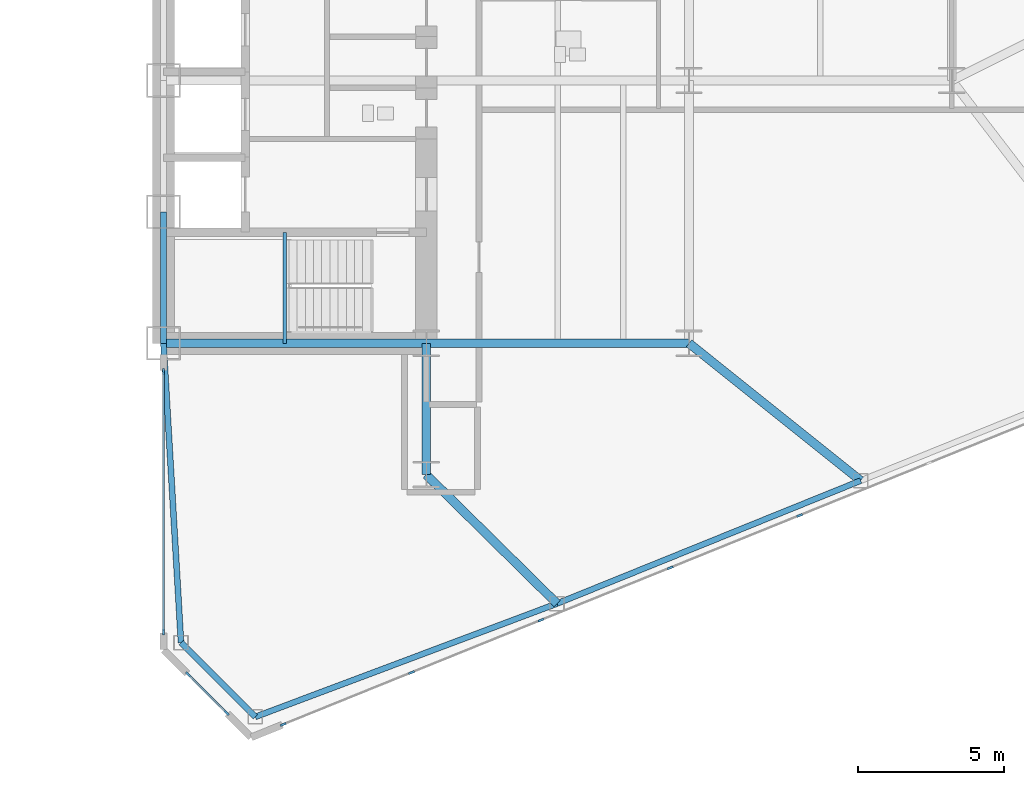
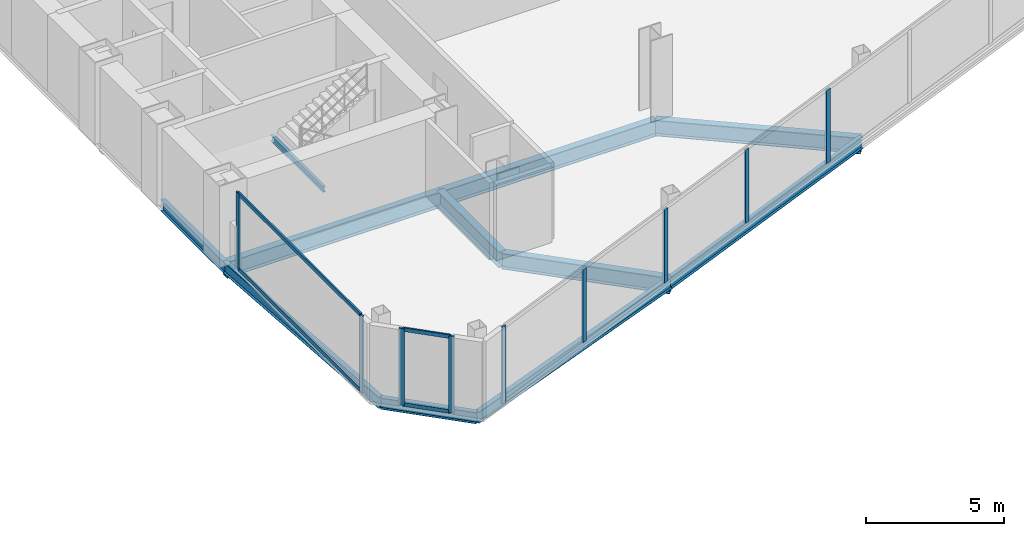
# One storey, part 9 of 25: 13 members, 11 beams, 3 elements without a shape of their own.
"""IFC4 building model written with IfcOpenShell, lengths in metres."""

from ifc_helpers import new_model, si_unit, direction, frame, origin, origin_2d, place, context, subcontext, project, spatial, rectangle, i_section, extrude, source, transform, mapped, material, layer, layer_set, material_profile, profile_set, type_object, type_shapes, element, aggregate, save


model = new_model("IFC4")

# Units and contexts
model_context = context("Model", 3, precision=1e-05, world=origin(), true_north=direction((0.0, 1.0)))
body_context = subcontext(model_context, "Body", "Model", "MODEL_VIEW")
ifc_project = project(units=[si_unit("LENGTHUNIT", "METRE"), si_unit("AREAUNIT", "SQUARE_METRE"), si_unit("VOLUMEUNIT", "CUBIC_METRE"), si_unit("PLANEANGLEUNIT", "RADIAN"), si_unit("MASSUNIT", "GRAM", prefix="KILO")], contexts=[model_context])

# Site, building, storey
site_placement = place(None, origin())
site = spatial("IfcSite", under=ifc_project, at=site_placement, CompositionType="ELEMENT")
building_placement = place(site_placement, origin())
building = spatial("IfcBuilding", under=site, at=building_placement, Name="Seokmaru Belvedere", CompositionType="ELEMENT")
storey_placement = place(building_placement, frame((0.0, 0.0, 58.5)))
storey = spatial("IfcBuildingStorey", under=building, at=storey_placement, Name="L15", CompositionType="ELEMENT", Elevation=58.5)

# Beams
ifc_material_1 = material(Name="Steel SM355 (355 MPa)", Category="steel")
ifc_material_profile_1 = material_profile(ifc_material_1, i_section(OverallWidth=0.199951171875, OverallDepth=0.5, WebThickness=0.010009765625, FlangeThickness=0.01611328125, at=origin_2d()), Name="H-500x200x10x16")
ifc_profile_set_1 = profile_set([ifc_material_profile_1], Name="Steel SM355 (355 MPa)")
beam_type_1 = type_object("IfcBeamType", Name="Perimeter Spandrel Beam H-500", PredefinedType="SPANDREL", material=ifc_profile_set_1)
shared_shape_1 = source(origin(), body_context, "Body", "SweptSolid", [
    extrude(i_section(OverallWidth=0.199951171875, OverallDepth=0.5, WebThickness=0.010009765625, FlangeThickness=0.01611328125, at=origin_2d()), origin(), (0.0, 0.0, 1.0), 4.5),
])
beam_1_placement = place(storey_placement, frame((27.5, -13.5, -0.469970703125), z_axis=(0.0, 1.0, 0.0), x_axis=(-1.0, 0.0, 0.0)))
element("IfcBeam", 1, at=beam_1_placement, inside=storey, type_object=beam_type_1, Name="L15 E Portal Spine Spandrel 1", PredefinedType="SPANDREL", context=body_context, shape_type="MappedRepresentation", body=[
    mapped(shared_shape_1, transform((0.0, 0.0, 0.0), scale=1.0)),
])
ifc_material_profile_2 = material_profile(ifc_material_1, i_section(OverallWidth=0.300048828125, OverallDepth=0.699951171875, WebThickness=0.012939453125, FlangeThickness=0.02392578125, at=origin_2d()), Name="H-700x300x13x24")
ifc_profile_set_2 = profile_set([ifc_material_profile_2], Name="Steel SM355 (355 MPa)")
beam_type_2 = type_object("IfcBeamType", Name="Primary Floor Girder H-700", PredefinedType="BEAM", material=ifc_profile_set_2)
shared_shape_2 = source(origin(), body_context, "Body", "SweptSolid", [
    extrude(i_section(OverallWidth=0.300048828125, OverallDepth=0.699951171875, WebThickness=0.012939453125, FlangeThickness=0.02392578125, at=origin_2d()), origin(), (0.0, 0.0, 1.0), 4.5),
])
beam_2_placement = place(storey_placement, frame((36.5, -18.0, -0.570068359375), z_axis=(0.0, 1.0, 0.0), x_axis=(-1.0, 0.0, 0.0)))
element("IfcBeam", 2, at=beam_2_placement, inside=storey, type_object=beam_type_2, Name="L15 E Core Shoulder Girder S", PredefinedType="BEAM", context=body_context, shape_type="MappedRepresentation", body=[
    mapped(shared_shape_2, transform((0.0, 0.0, 0.0), scale=1.0)),
])
shared_shape_3 = source(origin(), body_context, "Body", "SweptSolid", [
    extrude(i_section(OverallWidth=0.300048828125, OverallDepth=0.699951171875, WebThickness=0.012939453125, FlangeThickness=0.02392578125, at=origin_2d()), origin(), (0.0, 0.0, 1.0), 9.0),
])
for number, where, z_axis, x_axis, name in (
    (3, (27.5, -13.5, -0.570068359375), (1.0, 0.0, 0.0), (0.0, 1.0, 0.0), "L15 E Core Tie Girder 1"),
    (4, (36.5, -13.5, -0.570068359375), (1.0, 0.0, 0.0), (0.0, 1.0, 0.0), "L15 E Wing Primary Girder 1"),
):
    element("IfcBeam", number, at=place(storey_placement, frame(where, z_axis=z_axis, x_axis=x_axis)), inside=storey, type_object=beam_type_2, Name=name, PredefinedType="BEAM", context=body_context, shape_type="MappedRepresentation", body=[
        mapped(shared_shape_3, transform((0.0, 0.0, 0.0), scale=1.0)),
    ])
shared_shape_4 = source(origin(), body_context, "Body", "SweptSolid", [
    extrude(i_section(OverallWidth=0.199951171875, OverallDepth=0.5, WebThickness=0.010009765625, FlangeThickness=0.01611328125, at=origin_2d()), origin(), (0.0, 0.0, 1.0), 11.03857421875),
])
beam_3_placement = place(storey_placement, frame((30.643310546875, -26.294677734375, -0.469970703125), z_axis=(0.936169110734, 0.351549990907, 0.0), x_axis=(-0.351549990907, 0.936169110734, 0.0)))
element("IfcBeam", 5, at=beam_3_placement, inside=storey, type_object=beam_type_1, Name="L15 E Faceted Flank Spandrel S-1", PredefinedType="SPANDREL", context=body_context, shape_type="MappedRepresentation", body=[
    mapped(shared_shape_4, transform((0.0, 0.0, 0.0), scale=1.0)),
])
shared_shape_5 = source(origin(), body_context, "Body", "SweptSolid", [
    extrude(i_section(OverallWidth=0.199951171875, OverallDepth=0.5, WebThickness=0.010009765625, FlangeThickness=0.01611328125, at=origin_2d()), origin(), (0.0, 0.0, 1.0), 11.220703125),
])
beam_4_placement = place(storey_placement, frame((40.977294921875, -22.4140625, -0.469970703125), z_axis=(0.926944290816, 0.375198989503, 0.0), x_axis=(-0.375198989503, 0.926944290816, 0.0)))
element("IfcBeam", 6, at=beam_4_placement, inside=storey, type_object=beam_type_1, Name="L15 E Faceted Flank Spandrel S-2", PredefinedType="SPANDREL", context=body_context, shape_type="MappedRepresentation", body=[
    mapped(shared_shape_5, transform((0.0, 0.0, 0.0), scale=1.0)),
])
shared_shape_6 = source(origin(), body_context, "Body", "SweptSolid", [
    extrude(i_section(OverallWidth=0.199951171875, OverallDepth=0.5, WebThickness=0.010009765625, FlangeThickness=0.01611328125, at=origin_2d()), origin(), (0.0, 0.0, 1.0), 3.5966796875),
])
beam_5_placement = place(storey_placement, frame((30.643310546875, -26.294677734375, -0.469970703125), z_axis=(-0.707106781187, 0.707106781187, 0.0), x_axis=(-0.707106781187, -0.707106781187, 0.0)))
element("IfcBeam", 7, at=beam_5_placement, inside=storey, type_object=beam_type_1, Name="L15 E Shoulder Chamfer Spandrel S", PredefinedType="SPANDREL", context=body_context, shape_type="MappedRepresentation", body=[
    mapped(shared_shape_6, transform((0.0, 0.0, 0.0), scale=1.0)),
])
shared_shape_7 = source(origin(), body_context, "Body", "SweptSolid", [
    extrude(i_section(OverallWidth=0.199951171875, OverallDepth=0.5, WebThickness=0.010009765625, FlangeThickness=0.01611328125, at=origin_2d()), origin(), (0.0, 0.0, 1.0), 10.26904296875),
])
type_shapes(beam_type_1, [shared_shape_1, shared_shape_4, shared_shape_5, shared_shape_6, shared_shape_7])
beam_6_placement = place(storey_placement, frame((28.10009765625, -23.75146484375, -0.469970703125), z_axis=(-0.058437709399, 0.998291056817, 0.0), x_axis=(-0.998291056817, -0.058437709399, 0.0)))
element("IfcBeam", 8, at=beam_6_placement, inside=storey, type_object=beam_type_1, Name="L15 E Shoulder Spine Spandrel S", PredefinedType="SPANDREL", context=body_context, shape_type="MappedRepresentation", body=[
    mapped(shared_shape_7, transform((0.0, 0.0, 0.0), scale=1.0)),
])
shared_shape_8 = source(origin(), body_context, "Body", "SweptSolid", [
    extrude(i_section(OverallWidth=0.300048828125, OverallDepth=0.699951171875, WebThickness=0.012939453125, FlangeThickness=0.02392578125, at=origin_2d()), origin(), (0.0, 0.0, 1.0), 6.287353515625),
])
beam_7_placement = place(storey_placement, frame((40.977294921875, -22.4140625, -0.570068359375), z_axis=(-0.712117485263, 0.702060315915, 0.0), x_axis=(-0.702060315915, -0.712117485263, 0.0)))
element("IfcBeam", 9, at=beam_7_placement, inside=storey, type_object=beam_type_2, Name="L15 E Flank Radial Floor Girder S-1", PredefinedType="BEAM", context=body_context, shape_type="MappedRepresentation", body=[
    mapped(shared_shape_8, transform((0.0, 0.0, 0.0), scale=1.0)),
])
shared_shape_9 = source(origin(), body_context, "Body", "SweptSolid", [
    extrude(i_section(OverallWidth=0.300048828125, OverallDepth=0.699951171875, WebThickness=0.012939453125, FlangeThickness=0.02392578125, at=origin_2d()), origin(), (0.0, 0.0, 1.0), 7.52880859375),
])
type_shapes(beam_type_2, [shared_shape_2, shared_shape_3, shared_shape_8, shared_shape_9])
beam_8_placement = place(storey_placement, frame((51.378173828125, -18.2041015625, -0.570068359375), z_axis=(-0.780767560736, 0.624821587418, 0.0), x_axis=(-0.624821587418, -0.780767560736, 0.0)))
element("IfcBeam", 10, at=beam_8_placement, inside=storey, type_object=beam_type_2, Name="L15 E Flank Radial Floor Girder S-2", PredefinedType="BEAM", context=body_context, shape_type="MappedRepresentation", body=[
    mapped(shared_shape_9, transform((0.0, 0.0, 0.0), scale=1.0)),
])

# Curtain wall, members
ifc_material_2 = material(Name="Bronze Triple Insulating Glass", Category="glass")
ifc_layer = layer(ifc_material_2, 0.2099609375)
ifc_layer_set = layer_set([ifc_layer], Name="Bronze Triple Insulating Glass")
curtain_wall_type = type_object("IfcCurtainWallType", Name="Low-Rise Faceted Crystal Curtain Wall System CW-2", PredefinedType="NOTDEFINED", material=ifc_layer_set)
curtain_wall_1_placement = place(storey_placement, origin())
curtain_wall_1 = element("IfcCurtainWall", 11, at=curtain_wall_1_placement, inside=storey, type_object=curtain_wall_type, Name="L15 Curtain Wall ESP_1", PredefinedType="NOTDEFINED")
ifc_material_3 = material(Name="Anodised Bronze Aluminium", Category="aluminium")
ifc_material_profile_3 = material_profile(ifc_material_3, rectangle(XDim=0.070068359375, YDim=0.1650390625, at=origin_2d()), Name="CW-T-70x165")
ifc_profile_set_3 = profile_set([ifc_material_profile_3], Name="Anodised Bronze Aluminium")
member_type_1 = type_object("IfcMemberType", Name="Bronze Unitised Transom 70x165", PredefinedType="USERDEFINED", material=ifc_profile_set_3)
shared_shape_10 = source(origin(), body_context, "Body", "SweptSolid", [
    extrude(rectangle(XDim=0.070068359375, YDim=0.1650390625, at=origin_2d()), origin(), (0.0, 0.0, 1.0), 8.85009765625),
])
member_1_placement = place(storey_placement, frame((27.5, -14.5048828125, 0.034912109375), z_axis=(0.0, -1.0, 0.0), x_axis=(1.0, 0.0, 0.0)))
member_1 = element("IfcMember", 12, at=member_1_placement, type_object=member_type_1, Name="CW:L15:ESP_1 Continuous Transom 1", ObjectType="TRANSOM", PredefinedType="USERDEFINED", context=body_context, shape_type="MappedRepresentation", body=[
    mapped(shared_shape_10, transform((0.0, 0.0, 0.0), scale=1.0)),
])
member_2_placement = place(storey_placement, frame((27.5, -14.5048828125, 3.344970703125), z_axis=(0.0, -1.0, 0.0), x_axis=(1.0, 0.0, 0.0)))
member_2 = element("IfcMember", 13, at=member_2_placement, type_object=member_type_1, Name="CW:L15:ESP_1 Continuous Transom 2", ObjectType="TRANSOM", PredefinedType="USERDEFINED", context=body_context, shape_type="MappedRepresentation", body=[
    mapped(shared_shape_10, transform((0.0, 0.0, 0.0), scale=1.0)),
])

curtain_wall_2_placement = place(storey_placement, origin())
curtain_wall_2 = element("IfcCurtainWall", 14, at=curtain_wall_2_placement, inside=storey, type_object=curtain_wall_type, Name="L15 Curtain Wall EF6", PredefinedType="NOTDEFINED")
shared_shape_11 = source(origin(), body_context, "Body", "SweptSolid", [
    extrude(rectangle(XDim=0.070068359375, YDim=0.1650390625, at=origin_2d()), origin(), (0.0, 0.0, 1.0), 1.792724609375),
])
type_shapes(member_type_1, [shared_shape_10, shared_shape_11])
member_3_placement = place(storey_placement, frame((28.3662109375, -24.8662109375, 0.034912109375), z_axis=(0.707106781187, -0.707106781187, 0.0), x_axis=(0.707106781187, 0.707106781187, 0.0)))
member_3 = element("IfcMember", 15, at=member_3_placement, type_object=member_type_1, Name="CW:L15:EF6 Continuous Transom 1", ObjectType="TRANSOM", PredefinedType="USERDEFINED", context=body_context, shape_type="MappedRepresentation", body=[
    mapped(shared_shape_11, transform((0.0, 0.0, 0.0), scale=1.0)),
])
member_4_placement = place(storey_placement, frame((28.3662109375, -24.8662109375, 3.344970703125), z_axis=(0.707106781187, -0.707106781187, 0.0), x_axis=(0.707106781187, 0.707106781187, 0.0)))
member_4 = element("IfcMember", 16, at=member_4_placement, type_object=member_type_1, Name="CW:L15:EF6 Continuous Transom 2", ObjectType="TRANSOM", PredefinedType="USERDEFINED", context=body_context, shape_type="MappedRepresentation", body=[
    mapped(shared_shape_11, transform((0.0, 0.0, 0.0), scale=1.0)),
])

curtain_wall_3_placement = place(storey_placement, origin())
curtain_wall_3 = element("IfcCurtainWall", 17, at=curtain_wall_3_placement, inside=storey, type_object=curtain_wall_type, Name="L15 Curtain Wall EF1", PredefinedType="NOTDEFINED")
ifc_material_profile_4 = material_profile(ifc_material_3, rectangle(XDim=0.074951171875, YDim=0.2099609375, at=origin_2d()), Name="CW-M-75x210")
ifc_profile_set_4 = profile_set([ifc_material_profile_4], Name="Anodised Bronze Aluminium")
member_type_2 = type_object("IfcMemberType", Name="Bronze Unitised Mullion 75x210", PredefinedType="MULLION", material=ifc_profile_set_4)
shared_shape_12 = source(origin(), body_context, "Body", "SweptSolid", [
    extrude(rectangle(XDim=0.074951171875, YDim=0.2099609375, at=origin_2d()), origin(), (0.0, 0.0, 1.0), 3.239990234375),
])
member_5_placement = place(storey_placement, frame((35.995849609375, -24.775390625, 0.070068359375), z_axis=(0.0, 0.0, 1.0), x_axis=(-0.375192321888, 0.926946989637, 0.0)))
member_5 = element("IfcMember", 18, at=member_5_placement, type_object=member_type_2, Name="CW:L15:EF1 Mullion 2", PredefinedType="MULLION", context=body_context, shape_type="MappedRepresentation", body=[
    mapped(shared_shape_12, transform((0.0, 0.0, 0.0), scale=1.0)),
])
member_6_placement = place(storey_placement, frame((40.425537109375, -22.982421875, 0.070068359375), z_axis=(0.0, 0.0, 1.0), x_axis=(-0.375192321888, 0.926946989637, 0.0)))
member_6 = element("IfcMember", 19, at=member_6_placement, type_object=member_type_2, Name="CW:L15:EF1 Mullion 3", PredefinedType="MULLION", context=body_context, shape_type="MappedRepresentation", body=[
    mapped(shared_shape_12, transform((0.0, 0.0, 0.0), scale=1.0)),
])
member_7_placement = place(storey_placement, frame((44.855224609375, -21.189453125, 0.070068359375), z_axis=(0.0, 0.0, 1.0), x_axis=(-0.375192321888, 0.926946989637, 0.0)))
member_7 = element("IfcMember", 20, at=member_7_placement, type_object=member_type_2, Name="CW:L15:EF1 Mullion 4", PredefinedType="MULLION", context=body_context, shape_type="MappedRepresentation", body=[
    mapped(shared_shape_12, transform((0.0, 0.0, 0.0), scale=1.0)),
])
member_8_placement = place(storey_placement, frame((49.28515625, -19.396484375, 0.070068359375), z_axis=(0.0, 0.0, 1.0), x_axis=(-0.375192321888, 0.926946989637, 0.0)))
member_8 = element("IfcMember", 21, at=member_8_placement, type_object=member_type_2, Name="CW:L15:EF1 Mullion 5", PredefinedType="MULLION", context=body_context, shape_type="MappedRepresentation", body=[
    mapped(shared_shape_12, transform((0.0, 0.0, 0.0), scale=1.0)),
])
shared_shape_13 = source(origin(), body_context, "Body", "SweptSolid", [
    extrude(rectangle(XDim=0.074951171875, YDim=0.2099609375, at=origin_2d()), origin(), (0.0, 0.0, 1.0), 3.3798828125),
])
type_shapes(member_type_2, [shared_shape_12, shared_shape_13])
member_9_placement = place(storey_placement, frame((31.600830078125, -26.554443359375, 0.0), z_axis=(0.0, 0.0, 1.0), x_axis=(-0.375192321888, 0.926946989637, 0.0)))
member_9 = element("IfcMember", 22, at=member_9_placement, type_object=member_type_2, Name="CW:L15:EF1 Mullion 1", PredefinedType="MULLION", context=body_context, shape_type="MappedRepresentation", body=[
    mapped(shared_shape_13, transform((0.0, 0.0, 0.0), scale=1.0)),
])
aggregate(curtain_wall_3, [member_9, member_5, member_6, member_7, member_8])

# Member
member_10_placement = place(storey_placement, frame((27.5, -14.467529296875, 0.0), z_axis=(0.0, 0.0, 1.0), x_axis=(1.0, 0.0, 0.0)))
member_10 = element("IfcMember", 23, at=member_10_placement, type_object=member_type_2, Name="CW:L15:ESP_1 Mullion 1", PredefinedType="MULLION", context=body_context, shape_type="MappedRepresentation", body=[
    mapped(shared_shape_13, transform((0.0, 0.0, 0.0), scale=1.0)),
])

member_11_placement = place(storey_placement, frame((27.5, -23.392578125, 0.0), z_axis=(0.0, 0.0, 1.0), x_axis=(1.0, 0.0, 0.0)))
member_11 = element("IfcMember", 24, at=member_11_placement, type_object=member_type_2, Name="CW:L15:ESP_1 Mullion 2", PredefinedType="MULLION", context=body_context, shape_type="MappedRepresentation", body=[
    mapped(shared_shape_13, transform((0.0, 0.0, 0.0), scale=1.0)),
])

aggregate(curtain_wall_1, [member_10, member_11, member_1, member_2])

member_12_placement = place(storey_placement, frame((28.339599609375, -24.839599609375, 0.0), z_axis=(0.0, 0.0, 1.0), x_axis=(0.707106781187, 0.707106781187, 0.0)))
member_12 = element("IfcMember", 25, at=member_12_placement, type_object=member_type_2, Name="CW:L15:EF6 Mullion 1", PredefinedType="MULLION", context=body_context, shape_type="MappedRepresentation", body=[
    mapped(shared_shape_13, transform((0.0, 0.0, 0.0), scale=1.0)),
])

member_13_placement = place(storey_placement, frame((29.660400390625, -26.160400390625, 0.0), z_axis=(0.0, 0.0, 1.0), x_axis=(0.707106781187, 0.707106781187, 0.0)))
member_13 = element("IfcMember", 26, at=member_13_placement, type_object=member_type_2, Name="CW:L15:EF6 Mullion 2", PredefinedType="MULLION", context=body_context, shape_type="MappedRepresentation", body=[
    mapped(shared_shape_13, transform((0.0, 0.0, 0.0), scale=1.0)),
])

aggregate(curtain_wall_2, [member_12, member_13, member_3, member_4])

# Beam
ifc_material_profile_5 = material_profile(ifc_material_1, i_section(OverallWidth=0.125, OverallDepth=0.25, WebThickness=0.006103515625, FlangeThickness=0.009033203125, at=origin_2d()), Name="H-250x125x6x9")
ifc_profile_set_5 = profile_set([ifc_material_profile_5], Name="Steel SM355 (355 MPa)")
beam_type_3 = type_object("IfcBeamType", Name="Stair Mid-Landing Support Beam H-250", PredefinedType="JOIST", material=ifc_profile_set_5)
shared_shape_14 = source(origin(), body_context, "Body", "SweptSolid", [
    extrude(i_section(OverallWidth=0.125, OverallDepth=0.25, WebThickness=0.006103515625, FlangeThickness=0.009033203125, at=origin_2d()), origin(), (0.0, 0.0, 1.0), 3.800048828125),
])
type_shapes(beam_type_3, [shared_shape_14])
beam_9_placement = place(storey_placement, frame((31.64990234375, -13.5, 1.47509765625), z_axis=(0.0, 1.0, 0.0), x_axis=(-1.0, 0.0, 0.0)))
element("IfcBeam", 27, at=beam_9_placement, inside=storey, type_object=beam_type_3, Name="L15 Stair ST-E1 Mid-Landing Support Beam 1", PredefinedType="JOIST", context=body_context, shape_type="MappedRepresentation", body=[
    mapped(shared_shape_14, transform((0.0, 0.0, 0.0), scale=1.0)),
])

save(model, "model.ifc")
